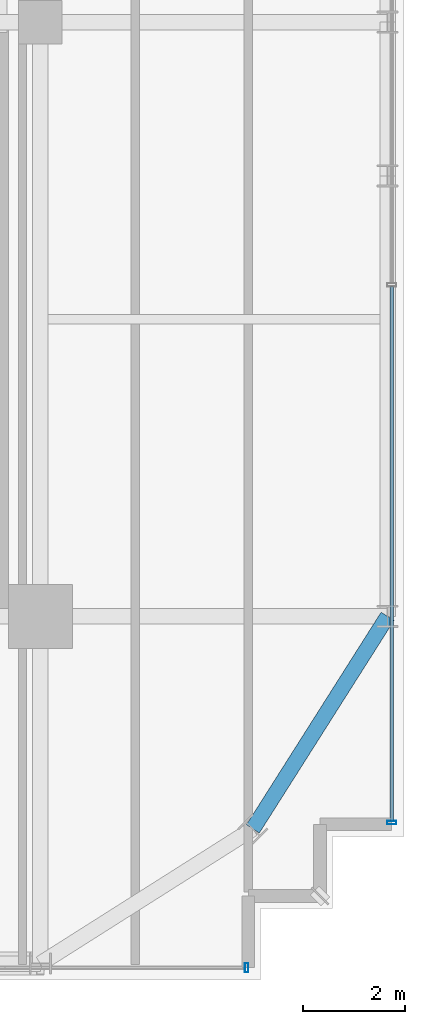
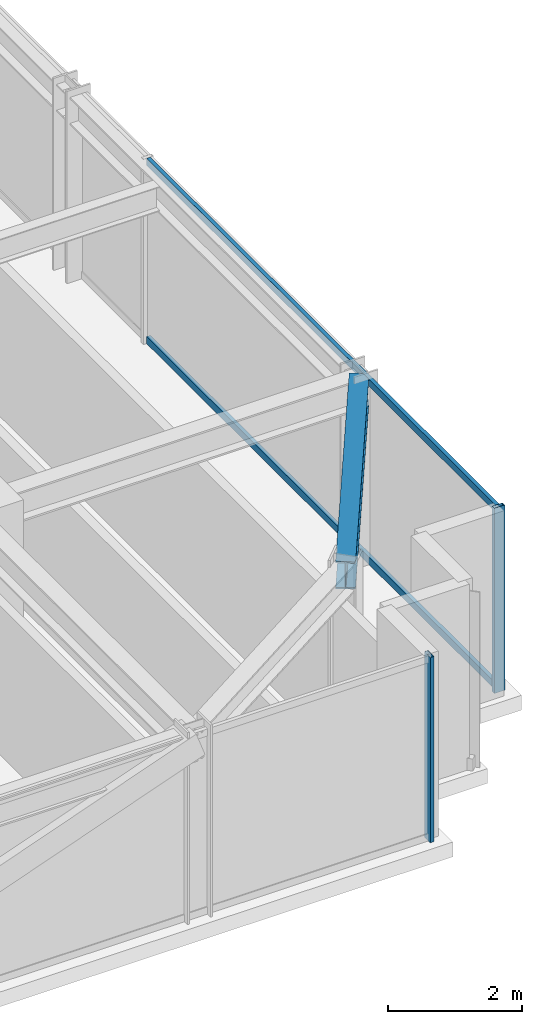
# One storey, part 12 of 39: 4 members, 1 beam, 2 elements without a shape of their own.
"""IFC4 building model written with IfcOpenShell, lengths in metres."""

import ifcopenshell
import ifcopenshell.guid

model = None  # the IFC model being written
_history = None  # IfcOwnerHistory: only IFC2X3 demands one
_inside = {}  # id of a spatial element -> (the spatial element, [elements in it])
_under = {}  # id of a project, library or spatial element -> (it, [spatial elements below it])
_declared = {}  # id of a project -> (the project, [libraries it declares])
_typed = {}  # id of a type object -> (the type object, [elements of that type])
_made_of = {}  # id of a material, layer set ... -> (it, [elements and type objects made of it])


def new_model(schema):
    """Start an empty IFC model of exactly this schema.

    Asked for "IFC4X3", IfcOpenShell would pick the latest addendum, in which some entities
    have other attributes; the version numbers below select the first issue.
    IFC2X3 requires an IfcOwnerHistory on every rooted entity: one is made here for all.
    """
    global model, _history
    if schema == "IFC4X3":
        model = ifcopenshell.file(schema_version=(4, 3, 0, 0))
    else:
        model = ifcopenshell.file(schema=schema)
    _inside.clear()
    _under.clear()
    _declared.clear()
    _typed.clear()
    _made_of.clear()
    _history = None
    if model.schema == "IFC2X3":
        org = make("IfcOrganization", Name="unknown")
        user = make(
            "IfcPersonAndOrganization",
            ThePerson=make("IfcPerson", FamilyName="unknown"),
            TheOrganization=org,
        )
        app = make(
            "IfcApplication",
            ApplicationDeveloper=org,
            Version="unknown",
            ApplicationFullName="unknown",
            ApplicationIdentifier="unknown",
        )
        _history = make(
            "IfcOwnerHistory",
            OwningUser=user,
            OwningApplication=app,
            ChangeAction="ADDED",
            CreationDate=0,
        )
    return model


def make(cls, **values):
    """One entity of the class cls with the attributes given. An attribute that is None is left unset."""
    return model.create_entity(
        cls, **{name: value for name, value in values.items() if value is not None}
    )


def rooted(cls, **values):
    """An entity with a GlobalId (a new one), such as an element, a storey or a relation."""
    return make(cls, GlobalId=ifcopenshell.guid.new(), OwnerHistory=_history, **values)


def si_unit(unit_type, name, prefix=None):
    """IfcSIUnit, for example si_unit("LENGTHUNIT", "METRE", prefix="MILLI")."""
    return make("IfcSIUnit", UnitType=unit_type, Prefix=prefix, Name=name)


def assignment(units):
    """IfcUnitAssignment: the units of a project."""
    return None if units is None else make("IfcUnitAssignment", Units=units)


def point(xyz):
    """IfcCartesianPoint."""
    return None if xyz is None else make("IfcCartesianPoint", Coordinates=xyz)


def direction(xyz):
    """IfcDirection."""
    return None if xyz is None else make("IfcDirection", DirectionRatios=xyz)


def frame(location, z_axis=None, x_axis=None):
    """IfcAxis2Placement3D, a coordinate frame: its origin and axes. An axis left out is left unset."""
    return make(
        "IfcAxis2Placement3D",
        Location=point(location),
        Axis=direction(z_axis),
        RefDirection=direction(x_axis),
    )


def frame_2d(location, x_axis=None):
    """IfcAxis2Placement2D, a coordinate frame in the plane: its origin and x axis."""
    return make(
        "IfcAxis2Placement2D", Location=point(location), RefDirection=direction(x_axis)
    )


def origin():
    """The frame at (0, 0, 0) with its axes left unset."""
    return frame((0.0, 0.0, 0.0))


def origin_2d():
    """The frame at (0, 0) in the plane with its x axis left unset."""
    return frame_2d((0.0, 0.0))


def place(relative_to, where):
    """IfcLocalPlacement: puts the frame where relative to a parent placement (None: the world)."""
    return make(
        "IfcLocalPlacement", PlacementRelTo=relative_to, RelativePlacement=where
    )


def context(
    kind, dimensions, precision=None, world=None, true_north=None, identifier=None
):
    """IfcGeometricRepresentationContext, for example the 3D "Model" context."""
    return make(
        "IfcGeometricRepresentationContext",
        ContextIdentifier=identifier,
        ContextType=kind,
        CoordinateSpaceDimension=dimensions,
        Precision=precision,
        WorldCoordinateSystem=world,
        TrueNorth=true_north,
    )


def subcontext(parent, identifier, kind, view, scale=None):
    """IfcGeometricRepresentationSubContext, for example "Body" below "Model"."""
    return make(
        "IfcGeometricRepresentationSubContext",
        ContextIdentifier=identifier,
        ContextType=kind,
        ParentContext=parent,
        TargetScale=scale,
        TargetView=view,
    )


def project(units=None, contexts=None):
    """IfcProject with its units and contexts."""
    return rooted(
        "IfcProject",
        Name="project",
        RepresentationContexts=contexts,
        UnitsInContext=assignment(units),
    )


def spatial(cls, under=None, at=None, **own):
    """A site, building, storey or space (cls), placed at a placement, below another one or the project."""
    s = rooted(cls, ObjectPlacement=at, **own)
    if under is not None:
        _under.setdefault(under.id(), (under, []))[1].append(s)
    return s


def profile(cls, at=None, kind="AREA", **sizes):
    """A parametric profile (cls). Its sizes go by their IFC names, for example OverallWidth=200.0."""
    return make(cls, ProfileType=kind, Position=at, **sizes)


def hollow_rectangle(**sizes):
    """IfcRectangleHollowProfileDef."""
    return profile("IfcRectangleHollowProfileDef", **sizes)


def i_section(**sizes):
    """IfcIShapeProfileDef."""
    return profile("IfcIShapeProfileDef", **sizes)


def extrude(swept, where, along, depth):
    """IfcExtrudedAreaSolid: the profile swept, set in the frame where, extruded along a direction by depth."""
    return make(
        "IfcExtrudedAreaSolid",
        SweptArea=swept,
        Position=where,
        ExtrudedDirection=direction(along),
        Depth=depth,
    )


def shape(context_of_items, identifier, shape_type, items):
    """IfcShapeRepresentation: the items that make up one representation, for example the "Body"."""
    return make(
        "IfcShapeRepresentation",
        ContextOfItems=context_of_items,
        RepresentationIdentifier=identifier,
        RepresentationType=shape_type,
        Items=items,
    )


def source(mapping_origin, context_of_items, identifier, shape_type, items):
    """IfcRepresentationMap: a shape defined once, which mapped items show again and again."""
    return make(
        "IfcRepresentationMap",
        MappingOrigin=mapping_origin,
        MappedRepresentation=shape(context_of_items, identifier, shape_type, items),
    )


def transform(
    local_origin,
    x_axis=None,
    y_axis=None,
    z_axis=None,
    scale=None,
    scale2=None,
    scale3=None,
    uniform=True,
):
    """IfcCartesianTransformationOperator3D, or its non-uniform kind. x_axis, y_axis, z_axis: its Axis1, 2, 3."""
    if uniform:
        return make(
            "IfcCartesianTransformationOperator3D",
            Axis1=direction(x_axis),
            Axis2=direction(y_axis),
            LocalOrigin=point(local_origin),
            Scale=scale,
            Axis3=direction(z_axis),
        )
    return make(
        "IfcCartesianTransformationOperator3DnonUniform",
        Axis1=direction(x_axis),
        Axis2=direction(y_axis),
        LocalOrigin=point(local_origin),
        Scale=scale,
        Axis3=direction(z_axis),
        Scale2=scale2,
        Scale3=scale3,
    )


def mapped(mapping_source, mapping_target):
    """IfcMappedItem: shows the shape of a source again, moved by a transform."""
    return make(
        "IfcMappedItem", MappingSource=mapping_source, MappingTarget=mapping_target
    )


def material(Name=None, Category=None):
    """IfcMaterial."""
    return make("IfcMaterial", Name=Name, Category=Category)


def material_profile(
    of_material, cross_section, Name=None, Category=None, Priority=None
):
    """IfcMaterialProfile: a cross section and its material."""
    return make(
        "IfcMaterialProfile",
        Name=Name,
        Material=of_material,
        Profile=cross_section,
        Priority=Priority,
        Category=Category,
    )


def profile_set(profiles, Name=None, composite=None):
    """IfcMaterialProfileSet."""
    return make(
        "IfcMaterialProfileSet",
        Name=Name,
        MaterialProfiles=profiles,
        CompositeProfile=composite,
    )


def made_of(thing, what):
    """Note that an element or type object is made of a material, layer set ...; save() writes the relation."""
    if what is not None:
        _made_of.setdefault(what.id(), (what, []))[1].append(thing)
    return thing


def type_object(cls, material=None, **own):
    """A type object (cls), such as IfcWallType, which elements share."""
    return made_of(rooted(cls, **own), material)


def element(
    cls,
    number,
    at=None,
    inside=None,
    cuts=None,
    type_object=None,
    material=None,
    context=None,
    identifier="Body",
    shape_type=None,
    held_by="IfcProductDefinitionShape",
    body=None,
    shapes=None,
    **own,
):
    """One element of the class cls, such as IfcWall. Its Tag is "e" and its number.

    at: its placement. inside: the storey or other place that contains it. cuts: it is an
    opening in that element (IfcRelVoidsElement). A single representation is given by context,
    identifier, shape_type and body (its items); several are given by shapes. held_by: the class
    of the entity that holds the representations. save() writes the other relations.
    """
    e = rooted(cls, Tag="e%d" % number, ObjectPlacement=at, **own)
    if body is not None:
        shapes = [shape(context, identifier, shape_type, body)]
    if shapes is not None:
        e.Representation = make(held_by, Representations=shapes)
    if inside is not None:
        _inside.setdefault(inside.id(), (inside, []))[1].append(e)
    if cuts is not None:
        rooted(
            "IfcRelVoidsElement", RelatingBuildingElement=cuts, RelatedOpeningElement=e
        )
    if type_object is not None:
        _typed.setdefault(type_object.id(), (type_object, []))[1].append(e)
    return made_of(e, material)


def aggregate(whole, parts):
    """IfcRelAggregates: a whole, such as a stair, and the parts it consists of."""
    return rooted("IfcRelAggregates", RelatingObject=whole, RelatedObjects=parts)


def save(model, path):
    """Write the relations noted so far, then the file.

    IfcRelAggregates (storeys below a building ...), IfcRelContainedInSpatialStructure (elements
    in a storey), IfcRelDefinesByType, IfcRelAssociatesMaterial and IfcRelDeclares: one each for
    every whole, place, type object, material and project.
    """
    for whole, parts in _under.values():
        aggregate(whole, parts)
    for where, things in _inside.values():
        rooted(
            "IfcRelContainedInSpatialStructure",
            RelatedElements=things,
            RelatingStructure=where,
        )
    for kind, things in _typed.values():
        rooted("IfcRelDefinesByType", RelatedObjects=things, RelatingType=kind)
    for what, things in _made_of.values():
        rooted("IfcRelAssociatesMaterial", RelatedObjects=things, RelatingMaterial=what)
    for by, libraries in _declared.values():
        rooted("IfcRelDeclares", RelatingContext=by, RelatedDefinitions=libraries)
    model.write(path)


model = new_model("IFC4")

# Units and contexts
model_context = context("Model", 3, precision=1e-05, world=origin(), true_north=direction((0.0, 1.0)))
body_context = subcontext(model_context, "Body", "Model", "MODEL_VIEW")
ifc_project = project(units=[si_unit("LENGTHUNIT", "METRE"), si_unit("AREAUNIT", "SQUARE_METRE"), si_unit("VOLUMEUNIT", "CUBIC_METRE"), si_unit("PLANEANGLEUNIT", "RADIAN"), si_unit("MASSUNIT", "GRAM", prefix="KILO")], contexts=[model_context])

# Site, building, storey
site_placement = place(None, origin())
site = spatial("IfcSite", under=ifc_project, at=site_placement, CompositionType="ELEMENT")
building_placement = place(site_placement, origin())
building = spatial("IfcBuilding", under=site, at=building_placement, Name="Nahalor Promenade Grand Hotel", CompositionType="ELEMENT")
storey_placement = place(building_placement, frame((0.0, 0.0, 135.75)))
storey = spatial("IfcBuildingStorey", under=building, at=storey_placement, Name="L34", CompositionType="ELEMENT", Elevation=135.75)

# Beam
ifc_material_1 = material(Name="Steel S355JR", Category="steel")
ifc_material_profile_1 = material_profile(ifc_material_1, i_section(OverallWidth=0.3, OverallDepth=0.5, WebThickness=0.0145, FlangeThickness=0.028, at=origin_2d()), Name="HEB 500")
ifc_profile_set_1 = profile_set([ifc_material_profile_1], Name="Steel S355JR")
beam_type = type_object("IfcBeamType", Name="Beam-Spandrel-HEB500", PredefinedType="SPANDREL", material=ifc_profile_set_1)
shared_shape_1 = source(origin(), body_context, "Body", "SweptSolid", [
    extrude(i_section(OverallWidth=0.3, OverallDepth=0.5, WebThickness=0.0145, FlangeThickness=0.028, at=origin_2d()), origin(), (0.0, 0.0, 1.0), 4.9130859375),
])
beam_placement = place(storey_placement, frame((21.14990234375, -21.14990234375, 3.1298828125), z_axis=(0.535321591403, 0.844648325505, 0.0), x_axis=(-0.844648325505, 0.535321591403, 0.0)))
element("IfcBeam", 1, at=beam_placement, inside=storey, type_object=beam_type, Name="BM-L34-SPC-SE-2", PredefinedType="SPANDREL", context=body_context, shape_type="MappedRepresentation", body=[
    mapped(shared_shape_1, transform((0.0, 0.0, 0.0), scale=1.0)),
])

# Curtain wall, member
ifc_material_2 = material(Name="Anodised Bronze Aluminium EN AW-6063 T6", Category="aluminium")
curtain_wall_type = type_object("IfcCurtainWallType", Name="CW2 Typical Hotel Flush Bronze Unitised Curtain Wall", PredefinedType="USERDEFINED", material=ifc_material_2)
curtain_wall_1_placement = place(storey_placement, origin())
curtain_wall_1 = element("IfcCurtainWall", 2, at=curtain_wall_1_placement, inside=storey, type_object=curtain_wall_type, Name="L34 Curtain Wall CW-L34-S-1", ObjectType="UNITISED_CURTAIN_WALL", PredefinedType="USERDEFINED")
ifc_material_profile_2 = material_profile(ifc_material_2, hollow_rectangle(XDim=0.065, YDim=0.18, WallThickness=0.004, at=origin_2d()), Name="CWM 65x180x4")
ifc_profile_set_2 = profile_set([ifc_material_profile_2], Name="Anodised Bronze Aluminium EN AW-6063 T6")
member_type_1 = type_object("IfcMemberType", Name="CWM2 Typical Bronze Mullion 65x180", PredefinedType="MULLION", material=ifc_profile_set_2)
shared_shape_2 = source(origin(), body_context, "Body", "SweptSolid", [
    extrude(hollow_rectangle(XDim=0.065, YDim=0.18, WallThickness=0.004, at=origin_2d()), origin(), (0.0, 0.0, 1.0), 3.3798828125),
])
member_1_placement = place(storey_placement, frame((21.027587890625, -23.860107421875, 0.0), z_axis=(0.0, 0.0, 1.0), x_axis=(1.0, 0.0, 0.0)))
member_1 = element("IfcMember", 3, at=member_1_placement, type_object=member_type_1, Name="CW-L34-S-1 Mullion 4", PredefinedType="MULLION", context=body_context, shape_type="MappedRepresentation", body=[
    mapped(shared_shape_2, transform((0.0, 0.0, 0.0), scale=1.0)),
])
aggregate(curtain_wall_1, [member_1])

# Curtain wall, members
curtain_wall_2_placement = place(storey_placement, origin())
curtain_wall_2 = element("IfcCurtainWall", 4, at=curtain_wall_2_placement, inside=storey, type_object=curtain_wall_type, Name="L34 Curtain Wall CW-L34-E-1", ObjectType="UNITISED_CURTAIN_WALL", PredefinedType="USERDEFINED")
member_2_placement = place(storey_placement, frame((23.860107421875, -21.027587890625, 0.0), z_axis=(0.0, 0.0, 1.0), x_axis=(0.0, 1.0, 0.0)))
member_2 = element("IfcMember", 5, at=member_2_placement, type_object=member_type_1, Name="CW-L34-E-1 Mullion 0", PredefinedType="MULLION", context=body_context, shape_type="MappedRepresentation", body=[
    mapped(shared_shape_2, transform((0.0, 0.0, 0.0), scale=1.0)),
])
ifc_material_profile_3 = material_profile(ifc_material_2, hollow_rectangle(XDim=0.065, YDim=0.13, WallThickness=0.004, at=origin_2d()), Name="CWT 65x130x4")
ifc_profile_set_3 = profile_set([ifc_material_profile_3], Name="Anodised Bronze Aluminium EN AW-6063 T6")
member_type_2 = type_object("IfcMemberType", Name="CWT2 Typical Bronze Transom 65x130", PredefinedType="USERDEFINED", material=ifc_profile_set_3)
shared_shape_3 = source(origin(), body_context, "Body", "SweptSolid", [
    extrude(hollow_rectangle(XDim=0.065, YDim=0.13, WallThickness=0.004, at=origin_2d()), origin(), (0.0, 0.0, 1.0), 10.4326171875),
])
member_3_placement = place(storey_placement, frame((23.860107421875, -20.9951171875, 0.06494140625), z_axis=(0.0, 1.0, 0.0), x_axis=(-1.0, 0.0, 0.0)))
member_3 = element("IfcMember", 6, at=member_3_placement, type_object=member_type_2, Name="CW-L34-E-1 Transom 0-0", ObjectType="TRANSOM", PredefinedType="USERDEFINED", context=body_context, shape_type="MappedRepresentation", body=[
    mapped(shared_shape_3, transform((0.0, 0.0, 0.0), scale=1.0)),
])
member_4_placement = place(storey_placement, frame((23.860107421875, -20.9951171875, 3.31494140625), z_axis=(0.0, 1.0, 0.0), x_axis=(-1.0, 0.0, 0.0)))
member_4 = element("IfcMember", 7, at=member_4_placement, type_object=member_type_2, Name="CW-L34-E-1 Transom 0-1", ObjectType="TRANSOM", PredefinedType="USERDEFINED", context=body_context, shape_type="MappedRepresentation", body=[
    mapped(shared_shape_3, transform((0.0, 0.0, 0.0), scale=1.0)),
])
aggregate(curtain_wall_2, [member_2, member_3, member_4])

save(model, "model.ifc")
